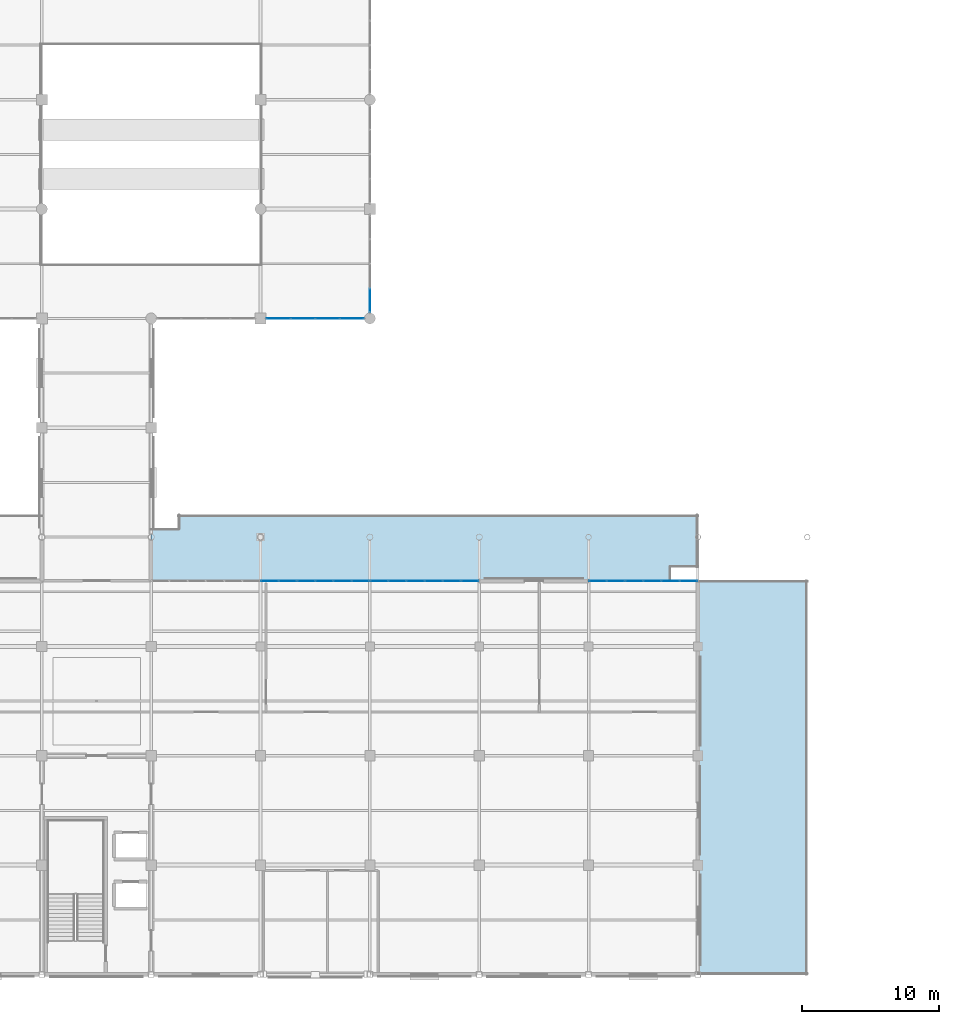
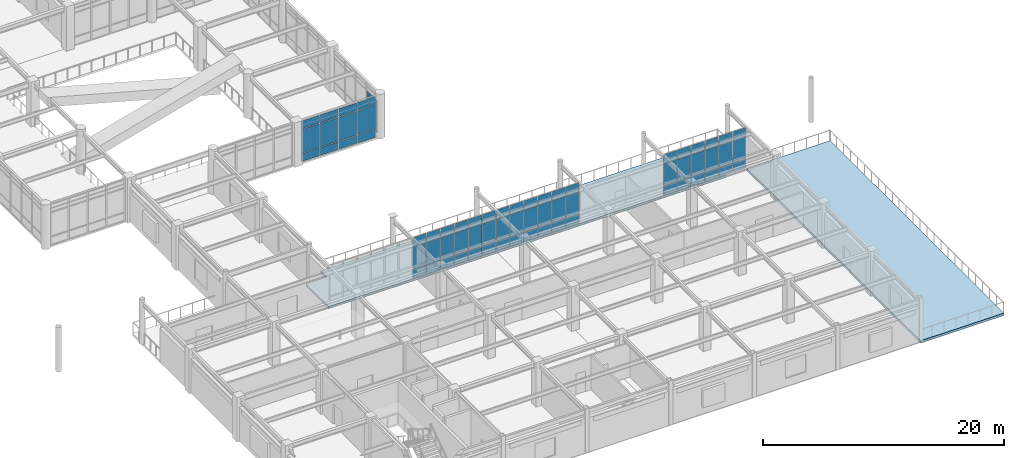
# One storey, part 49 of 75: 68 plates, 2 slabs, 5 elements without a shape of their own.
"""IFC4 building model written with IfcOpenShell, lengths in metres."""

from ifc_helpers import new_model, si_unit, direction, frame, origin, origin_2d, place, context, subcontext, project, spatial, polyline, rectangle, outline, extrude, material, layer, layer_set, type_object, element, aggregate, save


model = new_model("IFC4")

# Units and contexts
model_context = context("Model", 3, precision=1e-05, world=origin(), true_north=direction((0.0, 1.0)))
body_context = subcontext(model_context, "Body", "Model", "MODEL_VIEW")
ifc_project = project(units=[si_unit("LENGTHUNIT", "METRE"), si_unit("AREAUNIT", "SQUARE_METRE"), si_unit("VOLUMEUNIT", "CUBIC_METRE"), si_unit("PLANEANGLEUNIT", "RADIAN"), si_unit("MASSUNIT", "GRAM", prefix="KILO")], contexts=[model_context])

# Site, building, storey
site_placement = place(None, origin())
site = spatial("IfcSite", under=ifc_project, at=site_placement, CompositionType="ELEMENT")
building_placement = place(site_placement, origin())
building = spatial("IfcBuilding", under=site, at=building_placement, Name="Solmirada Galleria", CompositionType="ELEMENT")
storey_placement = place(building_placement, frame((0.0, 0.0, 19.39990234375)))
storey = spatial("IfcBuildingStorey", under=building, at=storey_placement, Name="L04", CompositionType="ELEMENT", Elevation=19.39990234375)

# Curtain wall, plates
ifc_material_1 = material(Name="Impact-resistant low-E double glazing", Category="glass")
curtain_wall_type_1 = type_object("IfcCurtainWallType", Name="CW-FZ3-L04-B4-L072", PredefinedType="NOTDEFINED", material=ifc_material_1)
curtain_wall_1_placement = place(storey_placement, origin())
curtain_wall_1 = element("IfcCurtainWall", 1, at=curtain_wall_1_placement, inside=storey, type_object=curtain_wall_type_1, Name="Terrace and arcade storefront CW-L04-156", PredefinedType="NOTDEFINED")
ifc_layer_1 = layer(ifc_material_1, 0.0419921875)
ifc_layer_set_1 = layer_set([ifc_layer_1], Name="Impact-resistant low-E double glazing")
plate_type_1 = type_object("IfcPlateType", Name="CW-PNL-CW30-T42", PredefinedType="CURTAIN_PANEL", material=ifc_layer_set_1)
plate_1_placement = place(storey_placement, frame((112.0, 49.31640625, 0.06005859375), z_axis=(0.0, 0.0, 1.0), x_axis=(0.0, -1.0, 0.0)))
plate_1 = element("IfcPlate", 2, at=plate_1_placement, type_object=plate_type_1, Name="CW30 panel 4.1", PredefinedType="CURTAIN_PANEL", context=body_context, shape_type="SweptSolid", body=[
    extrude(rectangle(XDim=1.708984375, YDim=0.0419921875, at=origin_2d()), origin(), (0.0, 0.0, 1.0), 0.7900390625),
])
plate_2_placement = place(storey_placement, frame((112.0, 49.31640625, 0.91015625), z_axis=(0.0, 0.0, 1.0), x_axis=(0.0, -1.0, 0.0)))
plate_2 = element("IfcPlate", 3, at=plate_2_placement, type_object=plate_type_1, Name="CW30 panel 4.2", PredefinedType="CURTAIN_PANEL", context=body_context, shape_type="SweptSolid", body=[
    extrude(rectangle(XDim=1.708984375, YDim=0.0419921875, at=origin_2d()), origin(), (0.0, 0.0, 1.0), 2.39990234375),
])
aggregate(curtain_wall_1, [plate_1, plate_2])

curtain_wall_2_placement = place(storey_placement, origin())
curtain_wall_2 = element("IfcCurtainWall", 4, at=curtain_wall_2_placement, inside=storey, type_object=curtain_wall_type_1, Name="Terrace and arcade storefront CW-L04-157", PredefinedType="NOTDEFINED")
plate_3_placement = place(storey_placement, frame((110.68359375, 48.0, 0.06005859375), z_axis=(0.0, 0.0, 1.0), x_axis=(-1.0, 0.0, 0.0)))
plate_3 = element("IfcPlate", 5, at=plate_3_placement, type_object=plate_type_1, Name="CW30 panel 1.1", PredefinedType="CURTAIN_PANEL", context=body_context, shape_type="SweptSolid", body=[
    extrude(rectangle(XDim=1.708984375, YDim=0.0419921875, at=origin_2d()), origin(), (0.0, 0.0, 1.0), 0.7900390625),
])
plate_4_placement = place(storey_placement, frame((110.68359375, 48.0, 0.91015625), z_axis=(0.0, 0.0, 1.0), x_axis=(-1.0, 0.0, 0.0)))
plate_4 = element("IfcPlate", 6, at=plate_4_placement, type_object=plate_type_1, Name="CW30 panel 1.2", PredefinedType="CURTAIN_PANEL", context=body_context, shape_type="SweptSolid", body=[
    extrude(rectangle(XDim=1.708984375, YDim=0.0419921875, at=origin_2d()), origin(), (0.0, 0.0, 1.0), 2.39990234375),
])
plate_5_placement = place(storey_placement, frame((110.68359375, 48.0, 3.3701171875), z_axis=(0.0, 0.0, 1.0), x_axis=(-1.0, 0.0, 0.0)))
plate_5 = element("IfcPlate", 7, at=plate_5_placement, type_object=plate_type_1, Name="CW30 panel 1.3", PredefinedType="CURTAIN_PANEL", context=body_context, shape_type="SweptSolid", body=[
    extrude(rectangle(XDim=1.708984375, YDim=0.0419921875, at=origin_2d()), origin(), (0.0, 0.0, 1.0), 0.7900390625),
])
plate_6_placement = place(storey_placement, frame((108.8994140625, 48.0, 0.06005859375), z_axis=(0.0, 0.0, 1.0), x_axis=(-1.0, 0.0, 0.0)))
plate_6 = element("IfcPlate", 8, at=plate_6_placement, type_object=plate_type_1, Name="CW30 panel 2.1", PredefinedType="CURTAIN_PANEL", context=body_context, shape_type="SweptSolid", body=[
    extrude(rectangle(XDim=1.739013671875, YDim=0.0419921875, at=origin_2d()), origin(), (0.0, 0.0, 1.0), 0.7900390625),
])
plate_7_placement = place(storey_placement, frame((108.8994140625, 48.0, 0.91015625), z_axis=(0.0, 0.0, 1.0), x_axis=(-1.0, 0.0, 0.0)))
plate_7 = element("IfcPlate", 9, at=plate_7_placement, type_object=plate_type_1, Name="CW30 panel 2.2", PredefinedType="CURTAIN_PANEL", context=body_context, shape_type="SweptSolid", body=[
    extrude(rectangle(XDim=1.739013671875, YDim=0.0419921875, at=origin_2d()), origin(), (0.0, 0.0, 1.0), 2.39990234375),
])
plate_8_placement = place(storey_placement, frame((108.8994140625, 48.0, 3.3701171875), z_axis=(0.0, 0.0, 1.0), x_axis=(-1.0, 0.0, 0.0)))
plate_8 = element("IfcPlate", 10, at=plate_8_placement, type_object=plate_type_1, Name="CW30 panel 2.3", PredefinedType="CURTAIN_PANEL", context=body_context, shape_type="SweptSolid", body=[
    extrude(rectangle(XDim=1.739013671875, YDim=0.0419921875, at=origin_2d()), origin(), (0.0, 0.0, 1.0), 0.7900390625),
])
plate_9_placement = place(storey_placement, frame((107.1005859375, 48.0, 0.06005859375), z_axis=(0.0, 0.0, 1.0), x_axis=(-1.0, 0.0, 0.0)))
plate_9 = element("IfcPlate", 11, at=plate_9_placement, type_object=plate_type_1, Name="CW30 panel 3.1", PredefinedType="CURTAIN_PANEL", context=body_context, shape_type="SweptSolid", body=[
    extrude(rectangle(XDim=1.739013671875, YDim=0.0419921875, at=origin_2d()), origin(), (0.0, 0.0, 1.0), 0.7900390625),
])
plate_10_placement = place(storey_placement, frame((107.1005859375, 48.0, 0.91015625), z_axis=(0.0, 0.0, 1.0), x_axis=(-1.0, 0.0, 0.0)))
plate_10 = element("IfcPlate", 12, at=plate_10_placement, type_object=plate_type_1, Name="CW30 panel 3.2", PredefinedType="CURTAIN_PANEL", context=body_context, shape_type="SweptSolid", body=[
    extrude(rectangle(XDim=1.739013671875, YDim=0.0419921875, at=origin_2d()), origin(), (0.0, 0.0, 1.0), 2.39990234375),
])
plate_11_placement = place(storey_placement, frame((107.1005859375, 48.0, 3.3701171875), z_axis=(0.0, 0.0, 1.0), x_axis=(-1.0, 0.0, 0.0)))
plate_11 = element("IfcPlate", 13, at=plate_11_placement, type_object=plate_type_1, Name="CW30 panel 3.3", PredefinedType="CURTAIN_PANEL", context=body_context, shape_type="SweptSolid", body=[
    extrude(rectangle(XDim=1.739013671875, YDim=0.0419921875, at=origin_2d()), origin(), (0.0, 0.0, 1.0), 0.7900390625),
])
plate_12_placement = place(storey_placement, frame((105.31640625, 48.0, 0.06005859375), z_axis=(0.0, 0.0, 1.0), x_axis=(-1.0, 0.0, 0.0)))
plate_12 = element("IfcPlate", 14, at=plate_12_placement, type_object=plate_type_1, Name="CW30 panel 4.1", PredefinedType="CURTAIN_PANEL", context=body_context, shape_type="SweptSolid", body=[
    extrude(rectangle(XDim=1.708984375, YDim=0.0419921875, at=origin_2d()), origin(), (0.0, 0.0, 1.0), 0.7900390625),
])
plate_13_placement = place(storey_placement, frame((105.31640625, 48.0, 0.91015625), z_axis=(0.0, 0.0, 1.0), x_axis=(-1.0, 0.0, 0.0)))
plate_13 = element("IfcPlate", 15, at=plate_13_placement, type_object=plate_type_1, Name="CW30 panel 4.2", PredefinedType="CURTAIN_PANEL", context=body_context, shape_type="SweptSolid", body=[
    extrude(rectangle(XDim=1.708984375, YDim=0.0419921875, at=origin_2d()), origin(), (0.0, 0.0, 1.0), 2.39990234375),
])
plate_14_placement = place(storey_placement, frame((105.31640625, 48.0, 3.3701171875), z_axis=(0.0, 0.0, 1.0), x_axis=(-1.0, 0.0, 0.0)))
plate_14 = element("IfcPlate", 16, at=plate_14_placement, type_object=plate_type_1, Name="CW30 panel 4.3", PredefinedType="CURTAIN_PANEL", context=body_context, shape_type="SweptSolid", body=[
    extrude(rectangle(XDim=1.708984375, YDim=0.0419921875, at=origin_2d()), origin(), (0.0, 0.0, 1.0), 0.7900390625),
])
aggregate(curtain_wall_2, [plate_3, plate_4, plate_5, plate_6, plate_7, plate_8, plate_9, plate_10, plate_11, plate_12, plate_13, plate_14])

curtain_wall_type_2 = type_object("IfcCurtainWallType", Name="CW-FZ5-L04-B6-L080", PredefinedType="NOTDEFINED", material=ifc_material_1)
curtain_wall_3_placement = place(storey_placement, origin())
curtain_wall_3 = element("IfcCurtainWall", 17, at=curtain_wall_3_placement, inside=storey, type_object=curtain_wall_type_2, Name="Terrace and arcade storefront CW-L04-160", PredefinedType="NOTDEFINED")
ifc_material_2 = material(Name="Ceramic-fritted spandrel glass", Category="glass")
ifc_layer_2 = layer(ifc_material_2, 0.031982421875)
ifc_layer_set_2 = layer_set([ifc_layer_2], Name="Ceramic-fritted spandrel glass")
plate_type_2 = type_object("IfcPlateType", Name="CW-PNL-CW32-T32", PredefinedType="CURTAIN_PANEL", material=ifc_layer_set_2)
plate_15_placement = place(storey_placement, frame((104.681640625, 28.800048828125, 0.06005859375), z_axis=(0.0, 0.0, 1.0), x_axis=(1.0, 0.0, 0.0)))
plate_15 = element("IfcPlate", 18, at=plate_15_placement, type_object=plate_type_2, Name="CW32 panel 1.1", PredefinedType="CURTAIN_PANEL", context=body_context, shape_type="SweptSolid", body=[
    extrude(rectangle(XDim=1.243408203125, YDim=0.031982421875, at=origin_2d()), origin(), (0.0, 0.0, 1.0), 0.909912109375),
])
plate_16_placement = place(storey_placement, frame((104.681640625, 28.800048828125, 1.0302734375), z_axis=(0.0, 0.0, 1.0), x_axis=(1.0, 0.0, 0.0)))
plate_16 = element("IfcPlate", 19, at=plate_16_placement, type_object=plate_type_2, Name="CW32 panel 1.2", PredefinedType="CURTAIN_PANEL", context=body_context, shape_type="SweptSolid", body=[
    extrude(rectangle(XDim=1.243408203125, YDim=0.031982421875, at=origin_2d()), origin(), (0.0, 0.0, 1.0), 2.179931640625),
])
plate_17_placement = place(storey_placement, frame((104.681640625, 28.800048828125, 3.27001953125), z_axis=(0.0, 0.0, 1.0), x_axis=(1.0, 0.0, 0.0)))
plate_17 = element("IfcPlate", 20, at=plate_17_placement, type_object=plate_type_2, Name="CW32 panel 1.3", PredefinedType="CURTAIN_PANEL", context=body_context, shape_type="SweptSolid", body=[
    extrude(rectangle(XDim=1.243408203125, YDim=0.031982421875, at=origin_2d()), origin(), (0.0, 0.0, 1.0), 0.889892578125),
])
plate_18_placement = place(storey_placement, frame((106.0, 28.800048828125, 0.06005859375), z_axis=(0.0, 0.0, 1.0), x_axis=(1.0, 0.0, 0.0)))
plate_18 = element("IfcPlate", 21, at=plate_18_placement, type_object=plate_type_2, Name="CW32 panel 2.1", PredefinedType="CURTAIN_PANEL", context=body_context, shape_type="SweptSolid", body=[
    extrude(rectangle(XDim=1.2734375, YDim=0.031982421875, at=origin_2d()), origin(), (0.0, 0.0, 1.0), 0.909912109375),
])
plate_19_placement = place(storey_placement, frame((106.0, 28.800048828125, 1.0302734375), z_axis=(0.0, 0.0, 1.0), x_axis=(1.0, 0.0, 0.0)))
plate_19 = element("IfcPlate", 22, at=plate_19_placement, type_object=plate_type_2, Name="CW32 panel 2.2", PredefinedType="CURTAIN_PANEL", context=body_context, shape_type="SweptSolid", body=[
    extrude(rectangle(XDim=1.2734375, YDim=0.031982421875, at=origin_2d()), origin(), (0.0, 0.0, 1.0), 2.179931640625),
])
plate_20_placement = place(storey_placement, frame((106.0, 28.800048828125, 3.27001953125), z_axis=(0.0, 0.0, 1.0), x_axis=(1.0, 0.0, 0.0)))
plate_20 = element("IfcPlate", 23, at=plate_20_placement, type_object=plate_type_2, Name="CW32 panel 2.3", PredefinedType="CURTAIN_PANEL", context=body_context, shape_type="SweptSolid", body=[
    extrude(rectangle(XDim=1.2734375, YDim=0.031982421875, at=origin_2d()), origin(), (0.0, 0.0, 1.0), 0.889892578125),
])
plate_21_placement = place(storey_placement, frame((107.333251953125, 28.800048828125, 0.06005859375), z_axis=(0.0, 0.0, 1.0), x_axis=(1.0, 0.0, 0.0)))
plate_21 = element("IfcPlate", 24, at=plate_21_placement, type_object=plate_type_2, Name="CW32 panel 3.1", PredefinedType="CURTAIN_PANEL", context=body_context, shape_type="SweptSolid", body=[
    extrude(rectangle(XDim=1.2734375, YDim=0.031982421875, at=origin_2d()), origin(), (0.0, 0.0, 1.0), 0.909912109375),
])
plate_22_placement = place(storey_placement, frame((107.333251953125, 28.800048828125, 1.0302734375), z_axis=(0.0, 0.0, 1.0), x_axis=(1.0, 0.0, 0.0)))
plate_22 = element("IfcPlate", 25, at=plate_22_placement, type_object=plate_type_2, Name="CW32 panel 3.2", PredefinedType="CURTAIN_PANEL", context=body_context, shape_type="SweptSolid", body=[
    extrude(rectangle(XDim=1.2734375, YDim=0.031982421875, at=origin_2d()), origin(), (0.0, 0.0, 1.0), 2.179931640625),
])
plate_23_placement = place(storey_placement, frame((107.333251953125, 28.800048828125, 3.27001953125), z_axis=(0.0, 0.0, 1.0), x_axis=(1.0, 0.0, 0.0)))
plate_23 = element("IfcPlate", 26, at=plate_23_placement, type_object=plate_type_2, Name="CW32 panel 3.3", PredefinedType="CURTAIN_PANEL", context=body_context, shape_type="SweptSolid", body=[
    extrude(rectangle(XDim=1.2734375, YDim=0.031982421875, at=origin_2d()), origin(), (0.0, 0.0, 1.0), 0.889892578125),
])
plate_24_placement = place(storey_placement, frame((108.666748046875, 28.800048828125, 0.06005859375), z_axis=(0.0, 0.0, 1.0), x_axis=(1.0, 0.0, 0.0)))
plate_24 = element("IfcPlate", 27, at=plate_24_placement, type_object=plate_type_2, Name="CW32 panel 4.1", PredefinedType="CURTAIN_PANEL", context=body_context, shape_type="SweptSolid", body=[
    extrude(rectangle(XDim=1.2734375, YDim=0.031982421875, at=origin_2d()), origin(), (0.0, 0.0, 1.0), 0.909912109375),
])
plate_25_placement = place(storey_placement, frame((108.666748046875, 28.800048828125, 1.0302734375), z_axis=(0.0, 0.0, 1.0), x_axis=(1.0, 0.0, 0.0)))
plate_25 = element("IfcPlate", 28, at=plate_25_placement, type_object=plate_type_2, Name="CW32 panel 4.2", PredefinedType="CURTAIN_PANEL", context=body_context, shape_type="SweptSolid", body=[
    extrude(rectangle(XDim=1.2734375, YDim=0.031982421875, at=origin_2d()), origin(), (0.0, 0.0, 1.0), 2.179931640625),
])
plate_26_placement = place(storey_placement, frame((108.666748046875, 28.800048828125, 3.27001953125), z_axis=(0.0, 0.0, 1.0), x_axis=(1.0, 0.0, 0.0)))
plate_26 = element("IfcPlate", 29, at=plate_26_placement, type_object=plate_type_2, Name="CW32 panel 4.3", PredefinedType="CURTAIN_PANEL", context=body_context, shape_type="SweptSolid", body=[
    extrude(rectangle(XDim=1.2734375, YDim=0.031982421875, at=origin_2d()), origin(), (0.0, 0.0, 1.0), 0.889892578125),
])
plate_27_placement = place(storey_placement, frame((110.0, 28.800048828125, 0.06005859375), z_axis=(0.0, 0.0, 1.0), x_axis=(1.0, 0.0, 0.0)))
plate_27 = element("IfcPlate", 30, at=plate_27_placement, type_object=plate_type_2, Name="CW32 panel 5.1", PredefinedType="CURTAIN_PANEL", context=body_context, shape_type="SweptSolid", body=[
    extrude(rectangle(XDim=1.2734375, YDim=0.031982421875, at=origin_2d()), origin(), (0.0, 0.0, 1.0), 0.909912109375),
])
plate_28_placement = place(storey_placement, frame((110.0, 28.800048828125, 1.0302734375), z_axis=(0.0, 0.0, 1.0), x_axis=(1.0, 0.0, 0.0)))
plate_28 = element("IfcPlate", 31, at=plate_28_placement, type_object=plate_type_2, Name="CW32 panel 5.2", PredefinedType="CURTAIN_PANEL", context=body_context, shape_type="SweptSolid", body=[
    extrude(rectangle(XDim=1.2734375, YDim=0.031982421875, at=origin_2d()), origin(), (0.0, 0.0, 1.0), 2.179931640625),
])
plate_29_placement = place(storey_placement, frame((110.0, 28.800048828125, 3.27001953125), z_axis=(0.0, 0.0, 1.0), x_axis=(1.0, 0.0, 0.0)))
plate_29 = element("IfcPlate", 32, at=plate_29_placement, type_object=plate_type_2, Name="CW32 panel 5.3", PredefinedType="CURTAIN_PANEL", context=body_context, shape_type="SweptSolid", body=[
    extrude(rectangle(XDim=1.2734375, YDim=0.031982421875, at=origin_2d()), origin(), (0.0, 0.0, 1.0), 0.889892578125),
])
plate_30_placement = place(storey_placement, frame((111.318359375, 28.800048828125, 0.06005859375), z_axis=(0.0, 0.0, 1.0), x_axis=(1.0, 0.0, 0.0)))
plate_30 = element("IfcPlate", 33, at=plate_30_placement, type_object=plate_type_2, Name="CW32 panel 6.1", PredefinedType="CURTAIN_PANEL", context=body_context, shape_type="SweptSolid", body=[
    extrude(rectangle(XDim=1.243408203125, YDim=0.031982421875, at=origin_2d()), origin(), (0.0, 0.0, 1.0), 0.909912109375),
])
plate_31_placement = place(storey_placement, frame((111.318359375, 28.800048828125, 1.0302734375), z_axis=(0.0, 0.0, 1.0), x_axis=(1.0, 0.0, 0.0)))
plate_31 = element("IfcPlate", 34, at=plate_31_placement, type_object=plate_type_2, Name="CW32 panel 6.2", PredefinedType="CURTAIN_PANEL", context=body_context, shape_type="SweptSolid", body=[
    extrude(rectangle(XDim=1.243408203125, YDim=0.031982421875, at=origin_2d()), origin(), (0.0, 0.0, 1.0), 2.179931640625),
])
plate_32_placement = place(storey_placement, frame((111.318359375, 28.800048828125, 3.27001953125), z_axis=(0.0, 0.0, 1.0), x_axis=(1.0, 0.0, 0.0)))
plate_32 = element("IfcPlate", 35, at=plate_32_placement, type_object=plate_type_2, Name="CW32 panel 6.3", PredefinedType="CURTAIN_PANEL", context=body_context, shape_type="SweptSolid", body=[
    extrude(rectangle(XDim=1.243408203125, YDim=0.031982421875, at=origin_2d()), origin(), (0.0, 0.0, 1.0), 0.889892578125),
])
aggregate(curtain_wall_3, [plate_15, plate_16, plate_17, plate_18, plate_19, plate_20, plate_21, plate_22, plate_23, plate_24, plate_25, plate_26, plate_27, plate_28, plate_29, plate_30, plate_31, plate_32])

curtain_wall_4_placement = place(storey_placement, origin())
curtain_wall_4 = element("IfcCurtainWall", 36, at=curtain_wall_4_placement, inside=storey, type_object=curtain_wall_type_2, Name="Terrace and arcade storefront CW-L04-161", PredefinedType="NOTDEFINED")
plate_33_placement = place(storey_placement, frame((112.681640625, 28.800048828125, 0.06005859375), z_axis=(0.0, 0.0, 1.0), x_axis=(1.0, 0.0, 0.0)))
plate_33 = element("IfcPlate", 37, at=plate_33_placement, type_object=plate_type_2, Name="CW32 panel 1.1", PredefinedType="CURTAIN_PANEL", context=body_context, shape_type="SweptSolid", body=[
    extrude(rectangle(XDim=1.243408203125, YDim=0.031982421875, at=origin_2d()), origin(), (0.0, 0.0, 1.0), 0.909912109375),
])
plate_34_placement = place(storey_placement, frame((112.681640625, 28.800048828125, 1.0302734375), z_axis=(0.0, 0.0, 1.0), x_axis=(1.0, 0.0, 0.0)))
plate_34 = element("IfcPlate", 38, at=plate_34_placement, type_object=plate_type_2, Name="CW32 panel 1.2", PredefinedType="CURTAIN_PANEL", context=body_context, shape_type="SweptSolid", body=[
    extrude(rectangle(XDim=1.243408203125, YDim=0.031982421875, at=origin_2d()), origin(), (0.0, 0.0, 1.0), 2.179931640625),
])
plate_35_placement = place(storey_placement, frame((112.681640625, 28.800048828125, 3.27001953125), z_axis=(0.0, 0.0, 1.0), x_axis=(1.0, 0.0, 0.0)))
plate_35 = element("IfcPlate", 39, at=plate_35_placement, type_object=plate_type_2, Name="CW32 panel 1.3", PredefinedType="CURTAIN_PANEL", context=body_context, shape_type="SweptSolid", body=[
    extrude(rectangle(XDim=1.243408203125, YDim=0.031982421875, at=origin_2d()), origin(), (0.0, 0.0, 1.0), 0.889892578125),
])
plate_36_placement = place(storey_placement, frame((114.0, 28.800048828125, 0.06005859375), z_axis=(0.0, 0.0, 1.0), x_axis=(1.0, 0.0, 0.0)))
plate_36 = element("IfcPlate", 40, at=plate_36_placement, type_object=plate_type_2, Name="CW32 panel 2.1", PredefinedType="CURTAIN_PANEL", context=body_context, shape_type="SweptSolid", body=[
    extrude(rectangle(XDim=1.2734375, YDim=0.031982421875, at=origin_2d()), origin(), (0.0, 0.0, 1.0), 0.909912109375),
])
plate_37_placement = place(storey_placement, frame((114.0, 28.800048828125, 1.0302734375), z_axis=(0.0, 0.0, 1.0), x_axis=(1.0, 0.0, 0.0)))
plate_37 = element("IfcPlate", 41, at=plate_37_placement, type_object=plate_type_2, Name="CW32 panel 2.2", PredefinedType="CURTAIN_PANEL", context=body_context, shape_type="SweptSolid", body=[
    extrude(rectangle(XDim=1.2734375, YDim=0.031982421875, at=origin_2d()), origin(), (0.0, 0.0, 1.0), 2.179931640625),
])
plate_38_placement = place(storey_placement, frame((114.0, 28.800048828125, 3.27001953125), z_axis=(0.0, 0.0, 1.0), x_axis=(1.0, 0.0, 0.0)))
plate_38 = element("IfcPlate", 42, at=plate_38_placement, type_object=plate_type_2, Name="CW32 panel 2.3", PredefinedType="CURTAIN_PANEL", context=body_context, shape_type="SweptSolid", body=[
    extrude(rectangle(XDim=1.2734375, YDim=0.031982421875, at=origin_2d()), origin(), (0.0, 0.0, 1.0), 0.889892578125),
])
plate_39_placement = place(storey_placement, frame((115.333251953125, 28.800048828125, 0.06005859375), z_axis=(0.0, 0.0, 1.0), x_axis=(1.0, 0.0, 0.0)))
plate_39 = element("IfcPlate", 43, at=plate_39_placement, type_object=plate_type_2, Name="CW32 panel 3.1", PredefinedType="CURTAIN_PANEL", context=body_context, shape_type="SweptSolid", body=[
    extrude(rectangle(XDim=1.2734375, YDim=0.031982421875, at=origin_2d()), origin(), (0.0, 0.0, 1.0), 0.909912109375),
])
plate_40_placement = place(storey_placement, frame((115.333251953125, 28.800048828125, 1.0302734375), z_axis=(0.0, 0.0, 1.0), x_axis=(1.0, 0.0, 0.0)))
plate_40 = element("IfcPlate", 44, at=plate_40_placement, type_object=plate_type_2, Name="CW32 panel 3.2", PredefinedType="CURTAIN_PANEL", context=body_context, shape_type="SweptSolid", body=[
    extrude(rectangle(XDim=1.2734375, YDim=0.031982421875, at=origin_2d()), origin(), (0.0, 0.0, 1.0), 2.179931640625),
])
plate_41_placement = place(storey_placement, frame((115.333251953125, 28.800048828125, 3.27001953125), z_axis=(0.0, 0.0, 1.0), x_axis=(1.0, 0.0, 0.0)))
plate_41 = element("IfcPlate", 45, at=plate_41_placement, type_object=plate_type_2, Name="CW32 panel 3.3", PredefinedType="CURTAIN_PANEL", context=body_context, shape_type="SweptSolid", body=[
    extrude(rectangle(XDim=1.2734375, YDim=0.031982421875, at=origin_2d()), origin(), (0.0, 0.0, 1.0), 0.889892578125),
])
plate_42_placement = place(storey_placement, frame((116.666748046875, 28.800048828125, 0.06005859375), z_axis=(0.0, 0.0, 1.0), x_axis=(1.0, 0.0, 0.0)))
plate_42 = element("IfcPlate", 46, at=plate_42_placement, type_object=plate_type_2, Name="CW32 panel 4.1", PredefinedType="CURTAIN_PANEL", context=body_context, shape_type="SweptSolid", body=[
    extrude(rectangle(XDim=1.2734375, YDim=0.031982421875, at=origin_2d()), origin(), (0.0, 0.0, 1.0), 0.909912109375),
])
plate_43_placement = place(storey_placement, frame((116.666748046875, 28.800048828125, 1.0302734375), z_axis=(0.0, 0.0, 1.0), x_axis=(1.0, 0.0, 0.0)))
plate_43 = element("IfcPlate", 47, at=plate_43_placement, type_object=plate_type_2, Name="CW32 panel 4.2", PredefinedType="CURTAIN_PANEL", context=body_context, shape_type="SweptSolid", body=[
    extrude(rectangle(XDim=1.2734375, YDim=0.031982421875, at=origin_2d()), origin(), (0.0, 0.0, 1.0), 2.179931640625),
])
plate_44_placement = place(storey_placement, frame((116.666748046875, 28.800048828125, 3.27001953125), z_axis=(0.0, 0.0, 1.0), x_axis=(1.0, 0.0, 0.0)))
plate_44 = element("IfcPlate", 48, at=plate_44_placement, type_object=plate_type_2, Name="CW32 panel 4.3", PredefinedType="CURTAIN_PANEL", context=body_context, shape_type="SweptSolid", body=[
    extrude(rectangle(XDim=1.2734375, YDim=0.031982421875, at=origin_2d()), origin(), (0.0, 0.0, 1.0), 0.889892578125),
])
plate_45_placement = place(storey_placement, frame((118.0, 28.800048828125, 0.06005859375), z_axis=(0.0, 0.0, 1.0), x_axis=(1.0, 0.0, 0.0)))
plate_45 = element("IfcPlate", 49, at=plate_45_placement, type_object=plate_type_2, Name="CW32 panel 5.1", PredefinedType="CURTAIN_PANEL", context=body_context, shape_type="SweptSolid", body=[
    extrude(rectangle(XDim=1.2734375, YDim=0.031982421875, at=origin_2d()), origin(), (0.0, 0.0, 1.0), 0.909912109375),
])
plate_46_placement = place(storey_placement, frame((118.0, 28.800048828125, 1.0302734375), z_axis=(0.0, 0.0, 1.0), x_axis=(1.0, 0.0, 0.0)))
plate_46 = element("IfcPlate", 50, at=plate_46_placement, type_object=plate_type_2, Name="CW32 panel 5.2", PredefinedType="CURTAIN_PANEL", context=body_context, shape_type="SweptSolid", body=[
    extrude(rectangle(XDim=1.2734375, YDim=0.031982421875, at=origin_2d()), origin(), (0.0, 0.0, 1.0), 2.179931640625),
])
plate_47_placement = place(storey_placement, frame((118.0, 28.800048828125, 3.27001953125), z_axis=(0.0, 0.0, 1.0), x_axis=(1.0, 0.0, 0.0)))
plate_47 = element("IfcPlate", 51, at=plate_47_placement, type_object=plate_type_2, Name="CW32 panel 5.3", PredefinedType="CURTAIN_PANEL", context=body_context, shape_type="SweptSolid", body=[
    extrude(rectangle(XDim=1.2734375, YDim=0.031982421875, at=origin_2d()), origin(), (0.0, 0.0, 1.0), 0.889892578125),
])
plate_48_placement = place(storey_placement, frame((119.318359375, 28.800048828125, 0.06005859375), z_axis=(0.0, 0.0, 1.0), x_axis=(1.0, 0.0, 0.0)))
plate_48 = element("IfcPlate", 52, at=plate_48_placement, type_object=plate_type_2, Name="CW32 panel 6.1", PredefinedType="CURTAIN_PANEL", context=body_context, shape_type="SweptSolid", body=[
    extrude(rectangle(XDim=1.243408203125, YDim=0.031982421875, at=origin_2d()), origin(), (0.0, 0.0, 1.0), 0.909912109375),
])
plate_49_placement = place(storey_placement, frame((119.318359375, 28.800048828125, 1.0302734375), z_axis=(0.0, 0.0, 1.0), x_axis=(1.0, 0.0, 0.0)))
plate_49 = element("IfcPlate", 53, at=plate_49_placement, type_object=plate_type_2, Name="CW32 panel 6.2", PredefinedType="CURTAIN_PANEL", context=body_context, shape_type="SweptSolid", body=[
    extrude(rectangle(XDim=1.243408203125, YDim=0.031982421875, at=origin_2d()), origin(), (0.0, 0.0, 1.0), 2.179931640625),
])
plate_50_placement = place(storey_placement, frame((119.318359375, 28.800048828125, 3.27001953125), z_axis=(0.0, 0.0, 1.0), x_axis=(1.0, 0.0, 0.0)))
plate_50 = element("IfcPlate", 54, at=plate_50_placement, type_object=plate_type_2, Name="CW32 panel 6.3", PredefinedType="CURTAIN_PANEL", context=body_context, shape_type="SweptSolid", body=[
    extrude(rectangle(XDim=1.243408203125, YDim=0.031982421875, at=origin_2d()), origin(), (0.0, 0.0, 1.0), 0.889892578125),
])
aggregate(curtain_wall_4, [plate_33, plate_34, plate_35, plate_36, plate_37, plate_38, plate_39, plate_40, plate_41, plate_42, plate_43, plate_44, plate_45, plate_46, plate_47, plate_48, plate_49, plate_50])

curtain_wall_5_placement = place(storey_placement, origin())
curtain_wall_5 = element("IfcCurtainWall", 55, at=curtain_wall_5_placement, inside=storey, type_object=curtain_wall_type_2, Name="Terrace and arcade storefront CW-L04-162", PredefinedType="NOTDEFINED")
plate_51_placement = place(storey_placement, frame((128.681640625, 28.800048828125, 0.06005859375), z_axis=(0.0, 0.0, 1.0), x_axis=(1.0, 0.0, 0.0)))
plate_51 = element("IfcPlate", 56, at=plate_51_placement, type_object=plate_type_2, Name="CW32 panel 1.1", PredefinedType="CURTAIN_PANEL", context=body_context, shape_type="SweptSolid", body=[
    extrude(rectangle(XDim=1.243408203125, YDim=0.031982421875, at=origin_2d()), origin(), (0.0, 0.0, 1.0), 0.909912109375),
])
plate_52_placement = place(storey_placement, frame((128.681640625, 28.800048828125, 1.0302734375), z_axis=(0.0, 0.0, 1.0), x_axis=(1.0, 0.0, 0.0)))
plate_52 = element("IfcPlate", 57, at=plate_52_placement, type_object=plate_type_2, Name="CW32 panel 1.2", PredefinedType="CURTAIN_PANEL", context=body_context, shape_type="SweptSolid", body=[
    extrude(rectangle(XDim=1.243408203125, YDim=0.031982421875, at=origin_2d()), origin(), (0.0, 0.0, 1.0), 2.179931640625),
])
plate_53_placement = place(storey_placement, frame((128.681640625, 28.800048828125, 3.27001953125), z_axis=(0.0, 0.0, 1.0), x_axis=(1.0, 0.0, 0.0)))
plate_53 = element("IfcPlate", 58, at=plate_53_placement, type_object=plate_type_2, Name="CW32 panel 1.3", PredefinedType="CURTAIN_PANEL", context=body_context, shape_type="SweptSolid", body=[
    extrude(rectangle(XDim=1.243408203125, YDim=0.031982421875, at=origin_2d()), origin(), (0.0, 0.0, 1.0), 0.889892578125),
])
plate_54_placement = place(storey_placement, frame((130.0, 28.800048828125, 0.06005859375), z_axis=(0.0, 0.0, 1.0), x_axis=(1.0, 0.0, 0.0)))
plate_54 = element("IfcPlate", 59, at=plate_54_placement, type_object=plate_type_2, Name="CW32 panel 2.1", PredefinedType="CURTAIN_PANEL", context=body_context, shape_type="SweptSolid", body=[
    extrude(rectangle(XDim=1.2734375, YDim=0.031982421875, at=origin_2d()), origin(), (0.0, 0.0, 1.0), 0.909912109375),
])
plate_55_placement = place(storey_placement, frame((130.0, 28.800048828125, 1.0302734375), z_axis=(0.0, 0.0, 1.0), x_axis=(1.0, 0.0, 0.0)))
plate_55 = element("IfcPlate", 60, at=plate_55_placement, type_object=plate_type_2, Name="CW32 panel 2.2", PredefinedType="CURTAIN_PANEL", context=body_context, shape_type="SweptSolid", body=[
    extrude(rectangle(XDim=1.2734375, YDim=0.031982421875, at=origin_2d()), origin(), (0.0, 0.0, 1.0), 2.179931640625),
])
plate_56_placement = place(storey_placement, frame((130.0, 28.800048828125, 3.27001953125), z_axis=(0.0, 0.0, 1.0), x_axis=(1.0, 0.0, 0.0)))
plate_56 = element("IfcPlate", 61, at=plate_56_placement, type_object=plate_type_2, Name="CW32 panel 2.3", PredefinedType="CURTAIN_PANEL", context=body_context, shape_type="SweptSolid", body=[
    extrude(rectangle(XDim=1.2734375, YDim=0.031982421875, at=origin_2d()), origin(), (0.0, 0.0, 1.0), 0.889892578125),
])
plate_57_placement = place(storey_placement, frame((131.333251953125, 28.800048828125, 0.06005859375), z_axis=(0.0, 0.0, 1.0), x_axis=(1.0, 0.0, 0.0)))
plate_57 = element("IfcPlate", 62, at=plate_57_placement, type_object=plate_type_2, Name="CW32 panel 3.1", PredefinedType="CURTAIN_PANEL", context=body_context, shape_type="SweptSolid", body=[
    extrude(rectangle(XDim=1.2734375, YDim=0.031982421875, at=origin_2d()), origin(), (0.0, 0.0, 1.0), 0.909912109375),
])
plate_58_placement = place(storey_placement, frame((131.333251953125, 28.800048828125, 1.0302734375), z_axis=(0.0, 0.0, 1.0), x_axis=(1.0, 0.0, 0.0)))
plate_58 = element("IfcPlate", 63, at=plate_58_placement, type_object=plate_type_2, Name="CW32 panel 3.2", PredefinedType="CURTAIN_PANEL", context=body_context, shape_type="SweptSolid", body=[
    extrude(rectangle(XDim=1.2734375, YDim=0.031982421875, at=origin_2d()), origin(), (0.0, 0.0, 1.0), 2.179931640625),
])
plate_59_placement = place(storey_placement, frame((131.333251953125, 28.800048828125, 3.27001953125), z_axis=(0.0, 0.0, 1.0), x_axis=(1.0, 0.0, 0.0)))
plate_59 = element("IfcPlate", 64, at=plate_59_placement, type_object=plate_type_2, Name="CW32 panel 3.3", PredefinedType="CURTAIN_PANEL", context=body_context, shape_type="SweptSolid", body=[
    extrude(rectangle(XDim=1.2734375, YDim=0.031982421875, at=origin_2d()), origin(), (0.0, 0.0, 1.0), 0.889892578125),
])
plate_60_placement = place(storey_placement, frame((132.666748046875, 28.800048828125, 0.06005859375), z_axis=(0.0, 0.0, 1.0), x_axis=(1.0, 0.0, 0.0)))
plate_60 = element("IfcPlate", 65, at=plate_60_placement, type_object=plate_type_2, Name="CW32 panel 4.1", PredefinedType="CURTAIN_PANEL", context=body_context, shape_type="SweptSolid", body=[
    extrude(rectangle(XDim=1.2734375, YDim=0.031982421875, at=origin_2d()), origin(), (0.0, 0.0, 1.0), 0.909912109375),
])
plate_61_placement = place(storey_placement, frame((132.666748046875, 28.800048828125, 1.0302734375), z_axis=(0.0, 0.0, 1.0), x_axis=(1.0, 0.0, 0.0)))
plate_61 = element("IfcPlate", 66, at=plate_61_placement, type_object=plate_type_2, Name="CW32 panel 4.2", PredefinedType="CURTAIN_PANEL", context=body_context, shape_type="SweptSolid", body=[
    extrude(rectangle(XDim=1.2734375, YDim=0.031982421875, at=origin_2d()), origin(), (0.0, 0.0, 1.0), 2.179931640625),
])
plate_62_placement = place(storey_placement, frame((132.666748046875, 28.800048828125, 3.27001953125), z_axis=(0.0, 0.0, 1.0), x_axis=(1.0, 0.0, 0.0)))
plate_62 = element("IfcPlate", 67, at=plate_62_placement, type_object=plate_type_2, Name="CW32 panel 4.3", PredefinedType="CURTAIN_PANEL", context=body_context, shape_type="SweptSolid", body=[
    extrude(rectangle(XDim=1.2734375, YDim=0.031982421875, at=origin_2d()), origin(), (0.0, 0.0, 1.0), 0.889892578125),
])
plate_63_placement = place(storey_placement, frame((134.0, 28.800048828125, 0.06005859375), z_axis=(0.0, 0.0, 1.0), x_axis=(1.0, 0.0, 0.0)))
plate_63 = element("IfcPlate", 68, at=plate_63_placement, type_object=plate_type_2, Name="CW32 panel 5.1", PredefinedType="CURTAIN_PANEL", context=body_context, shape_type="SweptSolid", body=[
    extrude(rectangle(XDim=1.2734375, YDim=0.031982421875, at=origin_2d()), origin(), (0.0, 0.0, 1.0), 0.909912109375),
])
plate_64_placement = place(storey_placement, frame((134.0, 28.800048828125, 1.0302734375), z_axis=(0.0, 0.0, 1.0), x_axis=(1.0, 0.0, 0.0)))
plate_64 = element("IfcPlate", 69, at=plate_64_placement, type_object=plate_type_2, Name="CW32 panel 5.2", PredefinedType="CURTAIN_PANEL", context=body_context, shape_type="SweptSolid", body=[
    extrude(rectangle(XDim=1.2734375, YDim=0.031982421875, at=origin_2d()), origin(), (0.0, 0.0, 1.0), 2.179931640625),
])
plate_65_placement = place(storey_placement, frame((134.0, 28.800048828125, 3.27001953125), z_axis=(0.0, 0.0, 1.0), x_axis=(1.0, 0.0, 0.0)))
plate_65 = element("IfcPlate", 70, at=plate_65_placement, type_object=plate_type_2, Name="CW32 panel 5.3", PredefinedType="CURTAIN_PANEL", context=body_context, shape_type="SweptSolid", body=[
    extrude(rectangle(XDim=1.2734375, YDim=0.031982421875, at=origin_2d()), origin(), (0.0, 0.0, 1.0), 0.889892578125),
])
plate_66_placement = place(storey_placement, frame((135.318359375, 28.800048828125, 0.06005859375), z_axis=(0.0, 0.0, 1.0), x_axis=(1.0, 0.0, 0.0)))
plate_66 = element("IfcPlate", 71, at=plate_66_placement, type_object=plate_type_2, Name="CW32 panel 6.1", PredefinedType="CURTAIN_PANEL", context=body_context, shape_type="SweptSolid", body=[
    extrude(rectangle(XDim=1.243408203125, YDim=0.031982421875, at=origin_2d()), origin(), (0.0, 0.0, 1.0), 0.909912109375),
])
plate_67_placement = place(storey_placement, frame((135.318359375, 28.800048828125, 1.0302734375), z_axis=(0.0, 0.0, 1.0), x_axis=(1.0, 0.0, 0.0)))
plate_67 = element("IfcPlate", 72, at=plate_67_placement, type_object=plate_type_2, Name="CW32 panel 6.2", PredefinedType="CURTAIN_PANEL", context=body_context, shape_type="SweptSolid", body=[
    extrude(rectangle(XDim=1.243408203125, YDim=0.031982421875, at=origin_2d()), origin(), (0.0, 0.0, 1.0), 2.179931640625),
])
plate_68_placement = place(storey_placement, frame((135.318359375, 28.800048828125, 3.27001953125), z_axis=(0.0, 0.0, 1.0), x_axis=(1.0, 0.0, 0.0)))
plate_68 = element("IfcPlate", 73, at=plate_68_placement, type_object=plate_type_2, Name="CW32 panel 6.3", PredefinedType="CURTAIN_PANEL", context=body_context, shape_type="SweptSolid", body=[
    extrude(rectangle(XDim=1.243408203125, YDim=0.031982421875, at=origin_2d()), origin(), (0.0, 0.0, 1.0), 0.889892578125),
])
aggregate(curtain_wall_5, [plate_51, plate_52, plate_53, plate_54, plate_55, plate_56, plate_57, plate_58, plate_59, plate_60, plate_61, plate_62, plate_63, plate_64, plate_65, plate_66, plate_67, plate_68])

# Slabs
ifc_material_3 = material(Name="Concrete C35/45", Category="concrete")
ifc_layer_3 = layer(ifc_material_3, 0.239990234375)
ifc_layer_set_3 = layer_set([ifc_layer_3], Name="Concrete C35/45")
slab_type = type_object("IfcSlabType", Name="SLB-TERR-240", PredefinedType="FLOOR", material=ifc_layer_set_3)
slab_1_placement = place(storey_placement, frame((0.0, 0.0, -0.239990234375)))
element("IfcSlab", 74, at=slab_1_placement, inside=storey, type_object=slab_type, Name="Slab L04-TERR-SE", PredefinedType="FLOOR", context=body_context, shape_type="SweptSolid", body=[
    extrude(outline(polyline([(96.0, 28.800048828125), (134.0, 28.800048828125), (134.0, 29.800048828125), (136.0, 29.800048828125), (136.0, 33.60009765625), (98.0, 33.60009765625), (98.0, 32.60009765625), (96.0, 32.60009765625), (96.0, 28.800048828125)])), origin(), (0.0, 0.0, 1.0), 0.239990234375),
])
slab_2_placement = place(storey_placement, frame((0.0, 0.0, -0.239990234375)))
element("IfcSlab", 75, at=slab_2_placement, inside=storey, type_object=slab_type, Name="Slab L04-TERR-SE-STEP", PredefinedType="FLOOR", context=body_context, shape_type="SweptSolid", body=[
    extrude(outline(polyline([(136.0, 0.0), (144.0, 0.0), (144.0, 28.800048828125), (136.0, 28.800048828125), (136.0, 0.0)])), origin(), (0.0, 0.0, 1.0), 0.239990234375),
])

save(model, "model.ifc")
